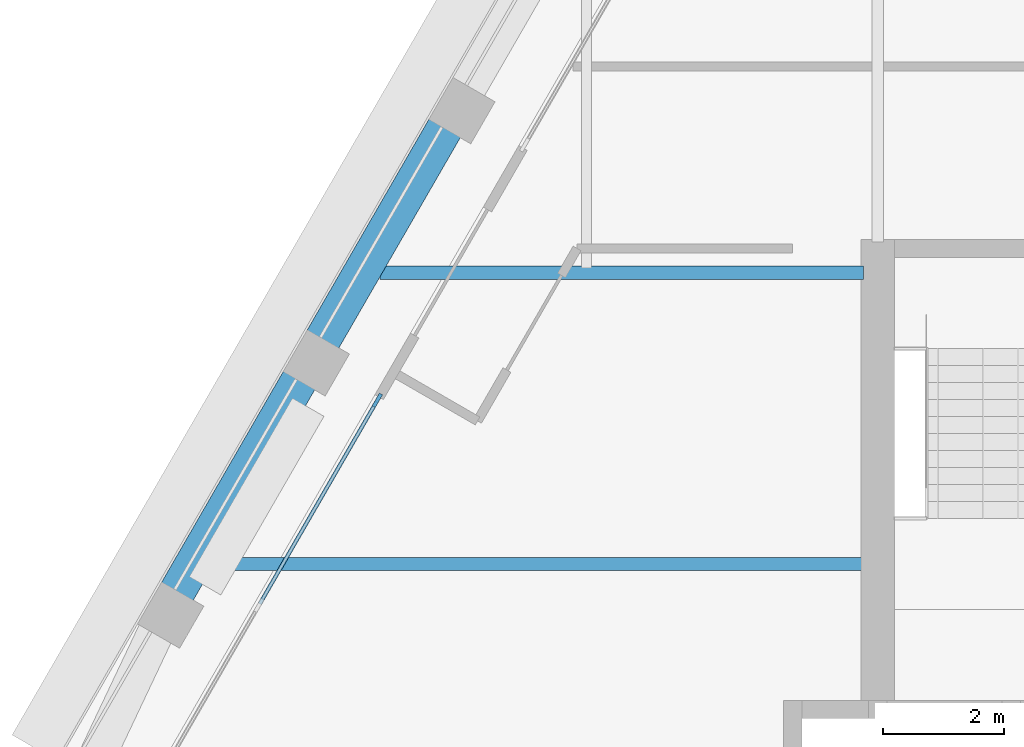
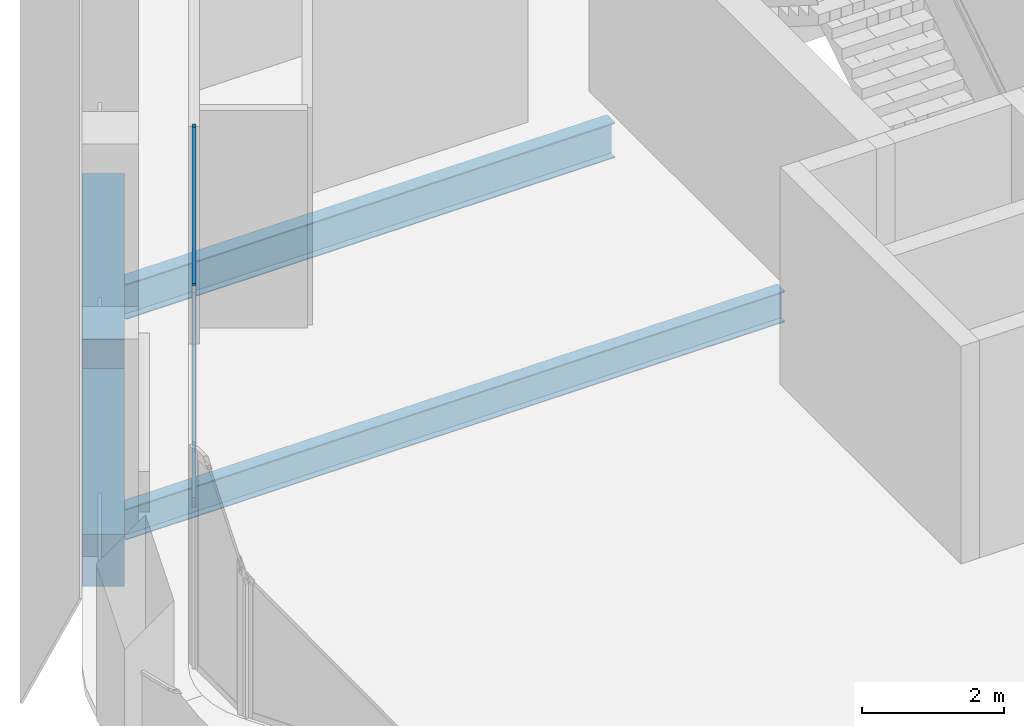
# One storey, part 3 of 13: 4 beams, 3 members, 1 element without a shape of its own.
"""IFC4 building model written with IfcOpenShell, lengths in metres."""

from ifc_helpers import new_model, si_unit, direction, frame, origin, origin_2d, place, context, subcontext, project, spatial, rectangle, i_section, extrude, material, material_profile, profile_set, type_object, element, aggregate, save


model = new_model("IFC4")

# Units and contexts
model_context = context("Model", 3, precision=1e-05, world=origin(), true_north=direction((0.0, 1.0)))
body_context = subcontext(model_context, "Body", "Model", "MODEL_VIEW")
ifc_project = project(units=[si_unit("LENGTHUNIT", "METRE"), si_unit("AREAUNIT", "SQUARE_METRE"), si_unit("VOLUMEUNIT", "CUBIC_METRE"), si_unit("PLANEANGLEUNIT", "RADIAN"), si_unit("MASSUNIT", "GRAM", prefix="KILO")], contexts=[model_context])

# Site, building, storey
site_placement = place(None, origin())
site = spatial("IfcSite", under=ifc_project, at=site_placement, CompositionType="ELEMENT")
building_placement = place(site_placement, origin())
building = spatial("IfcBuilding", under=site, at=building_placement, Name="Kolab Exchange Tower", CompositionType="ELEMENT")
storey_placement = place(building_placement, frame((0.0, 0.0, 277.39990234375)))
storey = spatial("IfcBuildingStorey", under=building, at=storey_placement, Name="L62", CompositionType="ELEMENT", Elevation=277.39990234375)

# Beams
ifc_material_1 = material(Name="Steel S355", Category="steel")
ifc_material_profile_1 = material_profile(ifc_material_1, i_section(OverallWidth=0.208984375, OverallDepth=0.532958984375, WebThickness=0.01025390625, FlangeThickness=0.015625, at=origin_2d()), Name="W530X92")
ifc_profile_set_1 = profile_set([ifc_material_profile_1], Name="Steel S355")
beam_type_1 = type_object("IfcBeamType", Name="FLOOR BEAM W530X92", PredefinedType="BEAM", material=ifc_profile_set_1)
beam_1_placement = place(storey_placement, frame((-20.575927734375, 4.800048828125, -0.41650390625), z_axis=(1.0, 0.0, 0.0), x_axis=(0.0, 1.0, 0.0)))
element("IfcBeam", 1, at=beam_1_placement, inside=storey, type_object=beam_type_1, Name="beam/L62/fr/002", PredefinedType="BEAM", context=body_context, shape_type="SweptSolid", body=[
    extrude(i_section(OverallWidth=0.208984375, OverallDepth=0.532958984375, WebThickness=0.01025390625, FlangeThickness=0.015625, at=origin_2d()), origin(), (0.0, 0.0, 1.0), 10.740966796875),
])
ifc_material_profile_2 = material_profile(ifc_material_1, i_section(OverallWidth=0.22802734375, OverallDepth=0.60791015625, WebThickness=0.01123046875, FlangeThickness=0.017333984375, at=origin_2d()), Name="W610X113")
ifc_profile_set_2 = profile_set([ifc_material_profile_2], Name="Steel S355")
beam_type_2 = type_object("IfcBeamType", Name="FLOOR GIRDER W610X113", PredefinedType="BEAM", material=ifc_profile_set_2)
beam_2_placement = place(storey_placement, frame((-17.8046875, 9.60009765625, -0.453857421875), z_axis=(1.0, 0.0, 0.0), x_axis=(0.0, 1.0, 0.0)))
element("IfcBeam", 2, at=beam_2_placement, inside=storey, type_object=beam_type_2, Name="beam/L62/gd/001", PredefinedType="BEAM", context=body_context, shape_type="SweptSolid", body=[
    extrude(i_section(OverallWidth=0.22802734375, OverallDepth=0.60791015625, WebThickness=0.01123046875, FlangeThickness=0.017333984375, at=origin_2d()), origin(), (0.0, 0.0, 1.0), 7.9697265625),
])
ifc_material_2 = material(Name="Concrete C50/60", Category="concrete")
ifc_material_profile_3 = material_profile(ifc_material_2, rectangle(XDim=0.60009765625, YDim=0.89990234375, at=origin_2d()), Name="RC600X900")
ifc_profile_set_3 = profile_set([ifc_material_profile_3], Name="Concrete C50/60")
beam_type_3 = type_object("IfcBeamType", Name="SPANDREL BEAM 600X900 C50/60", PredefinedType="BEAM", material=ifc_profile_set_3)
for number, where, z_axis, x_axis, name in (
    (3, (-21.16015625, 4.318603515625, -0.599853515625), (0.500000428765, 0.866025156237, 0.0), (-0.866025156237, 0.500000428765, 0.0), "beam/L62/sp/F6-02"),
    (4, (-18.76025390625, 8.4755859375, -0.599853515625), (0.500000428765, 0.866025156237, 0.0), (-0.866025156237, 0.500000428765, 0.0), "beam/L62/sp/F6-03"),
):
    element("IfcBeam", number, at=place(storey_placement, frame(where, z_axis=z_axis, x_axis=x_axis)), inside=storey, type_object=beam_type_3, Name=name, PredefinedType="BEAM", context=body_context, shape_type="SweptSolid", body=[
        extrude(rectangle(XDim=0.60009765625, YDim=0.89990234375, at=origin_2d()), origin(), (0.0, 0.0, 1.0), 4.080078125),
    ])

# Curtain wall, members
ifc_material_3 = material(Name="Aluminium EN AW-6063 T6", Category="aluminium")
curtain_wall_type = type_object("IfcCurtainWallType", Name="UNITISED HIGH ZONE CURTAIN WALL", PredefinedType="NOTDEFINED", material=ifc_material_3)
curtain_wall_placement = place(storey_placement, origin())
curtain_wall = element("IfcCurtainWall", 5, at=curtain_wall_placement, inside=storey, type_object=curtain_wall_type, Name="cw/L62/F6-1", PredefinedType="NOTDEFINED")
ifc_material_profile_4 = material_profile(ifc_material_3, rectangle(XDim=0.06005859375, YDim=0.239990234375, at=origin_2d()), Name="RECT 60X240")
ifc_profile_set_4 = profile_set([ifc_material_profile_4], Name="Aluminium EN AW-6063 T6")
member_type_1 = type_object("IfcMemberType", Name="UNITISED HIGH ZONE MULLION 60 X 240", PredefinedType="MULLION", material=ifc_profile_set_4)
member_1_placement = place(storey_placement, frame((-17.8466796875, 7.497802734375, 0.0), z_axis=(0.0, 0.0, 1.0), x_axis=(-0.866025440524, 0.499999936366, 0.0)))
member_1 = element("IfcMember", 6, at=member_1_placement, type_object=member_type_1, Name="CW4 mullion 3", PredefinedType="MULLION", context=body_context, shape_type="SweptSolid", body=[
    extrude(rectangle(XDim=0.06005859375, YDim=0.239990234375, at=origin_2d()), origin(), (0.0, 0.0, 1.0), 3.75),
])
ifc_material_profile_5 = material_profile(ifc_material_3, rectangle(XDim=0.06005859375, YDim=0.159912109375, at=origin_2d()), Name="RECT 60X160")
ifc_profile_set_5 = profile_set([ifc_material_profile_5], Name="Aluminium EN AW-6063 T6")
member_type_2 = type_object("IfcMemberType", Name="UNITISED HIGH ZONE TRANSOM 60 X 160", PredefinedType="USERDEFINED", material=ifc_profile_set_5)
member_2_placement = place(storey_placement, frame((-19.78369140625, 4.142822265625, 0.030029296875), z_axis=(0.500011990396, 0.866018481016, 0.0), x_axis=(-0.866018481016, 0.500011990396, 0.0)))
member_2 = element("IfcMember", 7, at=member_2_placement, type_object=member_type_2, Name="CW4 transom 2.1", ObjectType="TRANSOM", PredefinedType="USERDEFINED", context=body_context, shape_type="SweptSolid", body=[
    extrude(rectangle(XDim=0.06005859375, YDim=0.159912109375, at=origin_2d()), origin(), (0.0, 0.0, 1.0), 3.84423828125),
])
member_3_placement = place(storey_placement, frame((-19.78369140625, 4.142822265625, 3.72021484375), z_axis=(0.500011990396, 0.866018481016, 0.0), x_axis=(-0.866018481016, 0.500011990396, 0.0)))
member_3 = element("IfcMember", 8, at=member_3_placement, type_object=member_type_2, Name="CW4 transom 2.2", ObjectType="TRANSOM", PredefinedType="USERDEFINED", context=body_context, shape_type="SweptSolid", body=[
    extrude(rectangle(XDim=0.06005859375, YDim=0.159912109375, at=origin_2d()), origin(), (0.0, 0.0, 1.0), 3.84423828125),
])
aggregate(curtain_wall, [member_1, member_2, member_3])

save(model, "model.ifc")
